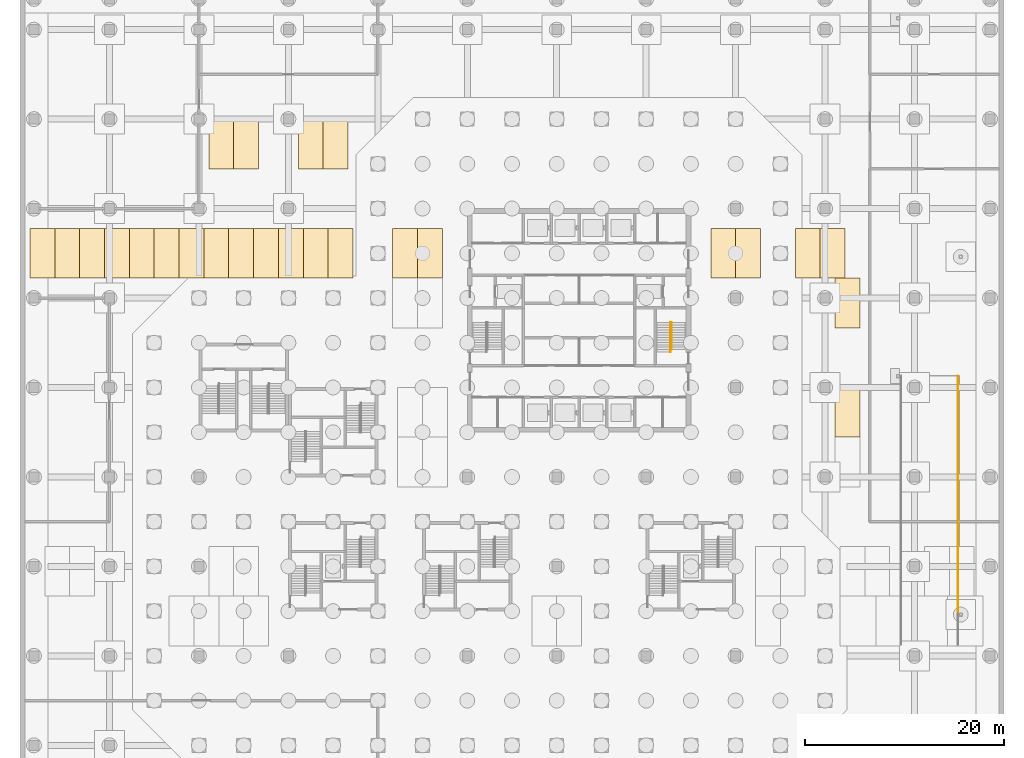
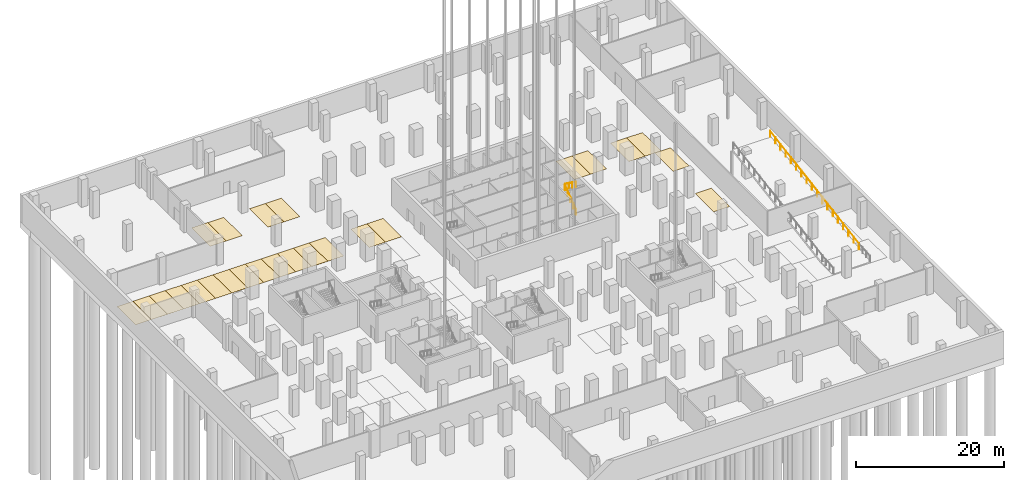
# One storey, part 36 of 37: 25 coverings, 2 railings.
"""IFC4 building model written with IfcOpenShell, lengths in metres."""

from ifc_helpers import new_model, si_unit, direction, frame, origin, origin_2d, place, context, subcontext, project, spatial, polyline, circle, outline, extrude, material, layer, layer_set, type_object, element, save


model = new_model("IFC4")

# Units and contexts
model_context = context("Model", 3, precision=1e-05, world=origin(), true_north=direction((0.0, 1.0)))
body_context = subcontext(model_context, "Body", "Model", "MODEL_VIEW")
ifc_project = project(units=[si_unit("LENGTHUNIT", "METRE"), si_unit("AREAUNIT", "SQUARE_METRE"), si_unit("VOLUMEUNIT", "CUBIC_METRE"), si_unit("PLANEANGLEUNIT", "RADIAN"), si_unit("MASSUNIT", "GRAM", prefix="KILO")], contexts=[model_context])

# Site, building, storey
site_placement = place(None, origin())
site = spatial("IfcSite", under=ifc_project, at=site_placement, CompositionType="ELEMENT")
building_placement = place(site_placement, origin())
building = spatial("IfcBuilding", under=site, at=building_placement, Name="Quoin Convention Tower", CompositionType="ELEMENT")
storey_placement = place(building_placement, frame((0.0, 0.0, -9.0)))
storey = spatial("IfcBuildingStorey", under=building, at=storey_placement, Name="B2", CompositionType="ELEMENT", Elevation=-9.0)

# Coverings
ifc_material_1 = material(Name="Road marking paint")
ifc_layer = layer(ifc_material_1, 0.0048828125)
ifc_layer_set = layer_set([ifc_layer], Name="Road marking paint")
covering_type = type_object("IfcCoveringType", Name="Parking bay marking", PredefinedType="FLOORING", material=ifc_layer_set)
covering_1_placement = place(storey_placement, origin())
element("IfcCovering", 1, at=covering_1_placement, inside=storey, type_object=covering_type, Name="PARKING BAY B2-27", PredefinedType="FLOORING", context=body_context, shape_type="SweptSolid", body=[
    extrude(outline(polyline([(82.0, 49.0), (84.5, 49.0), (84.5, 54.0), (82.0, 54.0), (82.0, 49.0)])), origin(), (0.0, 0.0, 1.0), 0.0048828125),
])
covering_2_placement = place(storey_placement, origin())
element("IfcCovering", 2, at=covering_2_placement, inside=storey, type_object=covering_type, Name="PARKING BAY B2-30", PredefinedType="FLOORING", context=body_context, shape_type="SweptSolid", body=[
    extrude(outline(polyline([(82.0, 60.0), (84.5, 60.0), (84.5, 65.0), (82.0, 65.0), (82.0, 60.0)])), origin(), (0.0, 0.0, 1.0), 0.0048828125),
])
covering_3_placement = place(storey_placement, origin())
element("IfcCovering", 3, at=covering_3_placement, inside=storey, type_object=covering_type, Name="PARKING BAY B2-31", PredefinedType="FLOORING", context=body_context, shape_type="SweptSolid", body=[
    extrude(outline(polyline([(1.0, 65.0), (3.5, 65.0), (3.5, 70.0), (1.0, 70.0), (1.0, 65.0)])), origin(), (0.0, 0.0, 1.0), 0.0048828125),
])
covering_4_placement = place(storey_placement, origin())
element("IfcCovering", 4, at=covering_4_placement, inside=storey, type_object=covering_type, Name="PARKING BAY B2-32", PredefinedType="FLOORING", context=body_context, shape_type="SweptSolid", body=[
    extrude(outline(polyline([(3.5, 65.0), (6.0, 65.0), (6.0, 70.0), (3.5, 70.0), (3.5, 65.0)])), origin(), (0.0, 0.0, 1.0), 0.0048828125),
])
covering_5_placement = place(storey_placement, origin())
element("IfcCovering", 5, at=covering_5_placement, inside=storey, type_object=covering_type, Name="PARKING BAY B2-33", PredefinedType="FLOORING", context=body_context, shape_type="SweptSolid", body=[
    extrude(outline(polyline([(6.0, 65.0), (8.5, 65.0), (8.5, 70.0), (6.0, 70.0), (6.0, 65.0)])), origin(), (0.0, 0.0, 1.0), 0.0048828125),
])
covering_6_placement = place(storey_placement, origin())
element("IfcCovering", 6, at=covering_6_placement, inside=storey, type_object=covering_type, Name="PARKING BAY B2-34", PredefinedType="FLOORING", context=body_context, shape_type="SweptSolid", body=[
    extrude(outline(polyline([(8.5, 65.0), (11.0, 65.0), (11.0, 70.0), (8.5, 70.0), (8.5, 65.0)])), origin(), (0.0, 0.0, 1.0), 0.0048828125),
])
covering_7_placement = place(storey_placement, origin())
element("IfcCovering", 7, at=covering_7_placement, inside=storey, type_object=covering_type, Name="PARKING BAY B2-35", PredefinedType="FLOORING", context=body_context, shape_type="SweptSolid", body=[
    extrude(outline(polyline([(11.0, 65.0), (13.5, 65.0), (13.5, 70.0), (11.0, 70.0), (11.0, 65.0)])), origin(), (0.0, 0.0, 1.0), 0.0048828125),
])
covering_8_placement = place(storey_placement, origin())
element("IfcCovering", 8, at=covering_8_placement, inside=storey, type_object=covering_type, Name="PARKING BAY B2-36", PredefinedType="FLOORING", context=body_context, shape_type="SweptSolid", body=[
    extrude(outline(polyline([(13.5, 65.0), (16.0, 65.0), (16.0, 70.0), (13.5, 70.0), (13.5, 65.0)])), origin(), (0.0, 0.0, 1.0), 0.0048828125),
])
covering_9_placement = place(storey_placement, origin())
element("IfcCovering", 9, at=covering_9_placement, inside=storey, type_object=covering_type, Name="PARKING BAY B2-37", PredefinedType="FLOORING", context=body_context, shape_type="SweptSolid", body=[
    extrude(outline(polyline([(16.0, 65.0), (18.5, 65.0), (18.5, 70.0), (16.0, 70.0), (16.0, 65.0)])), origin(), (0.0, 0.0, 1.0), 0.0048828125),
])
covering_10_placement = place(storey_placement, origin())
element("IfcCovering", 10, at=covering_10_placement, inside=storey, type_object=covering_type, Name="PARKING BAY B2-38", PredefinedType="FLOORING", context=body_context, shape_type="SweptSolid", body=[
    extrude(outline(polyline([(18.5, 65.0), (21.0, 65.0), (21.0, 70.0), (18.5, 70.0), (18.5, 65.0)])), origin(), (0.0, 0.0, 1.0), 0.0048828125),
])
covering_11_placement = place(storey_placement, origin())
element("IfcCovering", 11, at=covering_11_placement, inside=storey, type_object=covering_type, Name="PARKING BAY B2-39", PredefinedType="FLOORING", context=body_context, shape_type="SweptSolid", body=[
    extrude(outline(polyline([(21.0, 65.0), (23.5, 65.0), (23.5, 70.0), (21.0, 70.0), (21.0, 65.0)])), origin(), (0.0, 0.0, 1.0), 0.0048828125),
])
covering_12_placement = place(storey_placement, origin())
element("IfcCovering", 12, at=covering_12_placement, inside=storey, type_object=covering_type, Name="PARKING BAY B2-40", PredefinedType="FLOORING", context=body_context, shape_type="SweptSolid", body=[
    extrude(outline(polyline([(23.5, 65.0), (26.0, 65.0), (26.0, 70.0), (23.5, 70.0), (23.5, 65.0)])), origin(), (0.0, 0.0, 1.0), 0.0048828125),
])
covering_13_placement = place(storey_placement, origin())
element("IfcCovering", 13, at=covering_13_placement, inside=storey, type_object=covering_type, Name="PARKING BAY B2-41", PredefinedType="FLOORING", context=body_context, shape_type="SweptSolid", body=[
    extrude(outline(polyline([(26.0, 65.0), (28.5, 65.0), (28.5, 70.0), (26.0, 70.0), (26.0, 65.0)])), origin(), (0.0, 0.0, 1.0), 0.0048828125),
])
covering_14_placement = place(storey_placement, origin())
element("IfcCovering", 14, at=covering_14_placement, inside=storey, type_object=covering_type, Name="PARKING BAY B2-42", PredefinedType="FLOORING", context=body_context, shape_type="SweptSolid", body=[
    extrude(outline(polyline([(28.5, 65.0), (31.0, 65.0), (31.0, 70.0), (28.5, 70.0), (28.5, 65.0)])), origin(), (0.0, 0.0, 1.0), 0.0048828125),
])
covering_15_placement = place(storey_placement, origin())
element("IfcCovering", 15, at=covering_15_placement, inside=storey, type_object=covering_type, Name="PARKING BAY B2-43", PredefinedType="FLOORING", context=body_context, shape_type="SweptSolid", body=[
    extrude(outline(polyline([(31.0, 65.0), (33.5, 65.0), (33.5, 70.0), (31.0, 70.0), (31.0, 65.0)])), origin(), (0.0, 0.0, 1.0), 0.0048828125),
])
covering_16_placement = place(storey_placement, origin())
element("IfcCovering", 16, at=covering_16_placement, inside=storey, type_object=covering_type, Name="PARKING BAY B2-44", PredefinedType="FLOORING", context=body_context, shape_type="SweptSolid", body=[
    extrude(outline(polyline([(37.5, 65.0), (40.0, 65.0), (40.0, 70.0), (37.5, 70.0), (37.5, 65.0)])), origin(), (0.0, 0.0, 1.0), 0.0048828125),
])
covering_17_placement = place(storey_placement, origin())
element("IfcCovering", 17, at=covering_17_placement, inside=storey, type_object=covering_type, Name="PARKING BAY B2-45", PredefinedType="FLOORING", context=body_context, shape_type="SweptSolid", body=[
    extrude(outline(polyline([(40.0, 65.0), (42.5, 65.0), (42.5, 70.0), (40.0, 70.0), (40.0, 65.0)])), origin(), (0.0, 0.0, 1.0), 0.0048828125),
])
covering_18_placement = place(storey_placement, origin())
element("IfcCovering", 18, at=covering_18_placement, inside=storey, type_object=covering_type, Name="PARKING BAY B2-46", PredefinedType="FLOORING", context=body_context, shape_type="SweptSolid", body=[
    extrude(outline(polyline([(69.5, 65.0), (72.0, 65.0), (72.0, 70.0), (69.5, 70.0), (69.5, 65.0)])), origin(), (0.0, 0.0, 1.0), 0.0048828125),
])
covering_19_placement = place(storey_placement, origin())
element("IfcCovering", 19, at=covering_19_placement, inside=storey, type_object=covering_type, Name="PARKING BAY B2-47", PredefinedType="FLOORING", context=body_context, shape_type="SweptSolid", body=[
    extrude(outline(polyline([(72.0, 65.0), (74.5, 65.0), (74.5, 70.0), (72.0, 70.0), (72.0, 65.0)])), origin(), (0.0, 0.0, 1.0), 0.0048828125),
])
covering_20_placement = place(storey_placement, origin())
element("IfcCovering", 20, at=covering_20_placement, inside=storey, type_object=covering_type, Name="PARKING BAY B2-48", PredefinedType="FLOORING", context=body_context, shape_type="SweptSolid", body=[
    extrude(outline(polyline([(78.0, 65.0), (80.5, 65.0), (80.5, 70.0), (78.0, 70.0), (78.0, 65.0)])), origin(), (0.0, 0.0, 1.0), 0.0048828125),
])
covering_21_placement = place(storey_placement, origin())
element("IfcCovering", 21, at=covering_21_placement, inside=storey, type_object=covering_type, Name="PARKING BAY B2-49", PredefinedType="FLOORING", context=body_context, shape_type="SweptSolid", body=[
    extrude(outline(polyline([(80.5, 65.0), (83.0, 65.0), (83.0, 70.0), (80.5, 70.0), (80.5, 65.0)])), origin(), (0.0, 0.0, 1.0), 0.0048828125),
])
covering_22_placement = place(storey_placement, origin())
element("IfcCovering", 22, at=covering_22_placement, inside=storey, type_object=covering_type, Name="PARKING BAY B2-50", PredefinedType="FLOORING", context=body_context, shape_type="SweptSolid", body=[
    extrude(outline(polyline([(19.0, 76.0), (21.5, 76.0), (21.5, 81.0), (19.0, 81.0), (19.0, 76.0)])), origin(), (0.0, 0.0, 1.0), 0.0048828125),
])
covering_23_placement = place(storey_placement, origin())
element("IfcCovering", 23, at=covering_23_placement, inside=storey, type_object=covering_type, Name="PARKING BAY B2-51", PredefinedType="FLOORING", context=body_context, shape_type="SweptSolid", body=[
    extrude(outline(polyline([(21.5, 76.0), (24.0, 76.0), (24.0, 81.0), (21.5, 81.0), (21.5, 76.0)])), origin(), (0.0, 0.0, 1.0), 0.0048828125),
])
covering_24_placement = place(storey_placement, origin())
element("IfcCovering", 24, at=covering_24_placement, inside=storey, type_object=covering_type, Name="PARKING BAY B2-52", PredefinedType="FLOORING", context=body_context, shape_type="SweptSolid", body=[
    extrude(outline(polyline([(28.0, 76.0), (30.5, 76.0), (30.5, 81.0), (28.0, 81.0), (28.0, 76.0)])), origin(), (0.0, 0.0, 1.0), 0.0048828125),
])
covering_25_placement = place(storey_placement, origin())
element("IfcCovering", 25, at=covering_25_placement, inside=storey, type_object=covering_type, Name="PARKING BAY B2-53", PredefinedType="FLOORING", context=body_context, shape_type="SweptSolid", body=[
    extrude(outline(polyline([(30.5, 76.0), (33.0, 76.0), (33.0, 81.0), (30.5, 81.0), (30.5, 76.0)])), origin(), (0.0, 0.0, 1.0), 0.0048828125),
])

# Railings
ifc_material_2 = material(Name="Stainless steel", Category="steel")
railing_type_1 = type_object("IfcRailingType", Name="Ramp guard 1100", PredefinedType="GUARDRAIL", material=ifc_material_2)
railing_1_placement = place(storey_placement, frame((94.35009765625, 55.14990234375, 4.25)))
element("IfcRailing", 26, at=railing_1_placement, inside=storey, type_object=railing_type_1, Name="grd-ramp-2mainE", PredefinedType="GUARDRAIL", context=body_context, shape_type="SweptSolid", body=[
    extrude(circle(Radius=0.02392578125, at=origin_2d()), frame((0.0, 0.0, 1.076171875), z_axis=(0.0, -0.986393923832, -0.164398987305), x_axis=(1.0, 0.0, 0.0)), (0.0, 0.0, 1.0), 24.3310546875),
    extrude(circle(Radius=0.02099609375, at=origin_2d()), origin(), (0.0, 0.0, 1.0), 1.052001953125),
    extrude(circle(Radius=0.02099609375, at=origin_2d()), frame((0.0, -1.411865234375, -0.2353515625)), (0.0, 0.0, 1.0), 1.052001953125),
    extrude(circle(Radius=0.02099609375, at=origin_2d()), frame((0.0, -2.823486328125, -0.470703125)), (0.0, 0.0, 1.0), 1.052001953125),
    extrude(circle(Radius=0.02099609375, at=origin_2d()), frame((0.0, -4.2353515625, -0.705810546875)), (0.0, 0.0, 1.0), 1.052001953125),
    extrude(circle(Radius=0.02099609375, at=origin_2d()), frame((0.0, -5.64697265625, -0.941162109375)), (0.0, 0.0, 1.0), 1.052001953125),
    extrude(circle(Radius=0.02099609375, at=origin_2d()), frame((0.0, -7.058837890625, -1.176513671875)), (0.0, 0.0, 1.0), 1.052001953125),
    extrude(circle(Radius=0.02099609375, at=origin_2d()), frame((0.0, -8.470703125, -1.411865234375)), (0.0, 0.0, 1.0), 1.052001953125),
    extrude(circle(Radius=0.02099609375, at=origin_2d()), frame((0.0, -9.88232421875, -1.64697265625)), (0.0, 0.0, 1.0), 1.052001953125),
    extrude(circle(Radius=0.02099609375, at=origin_2d()), frame((0.0, -11.294189453125, -1.88232421875)), (0.0, 0.0, 1.0), 1.052001953125),
    extrude(circle(Radius=0.02099609375, at=origin_2d()), frame((0.0, -12.705810546875, -2.11767578125)), (0.0, 0.0, 1.0), 1.052001953125),
    extrude(circle(Radius=0.02099609375, at=origin_2d()), frame((0.0, -14.11767578125, -2.35302734375)), (0.0, 0.0, 1.0), 1.052001953125),
    extrude(circle(Radius=0.02099609375, at=origin_2d()), frame((0.0, -15.529296875, -2.588134765625)), (0.0, 0.0, 1.0), 1.052001953125),
    extrude(circle(Radius=0.02099609375, at=origin_2d()), frame((0.0, -16.941162109375, -2.823486328125)), (0.0, 0.0, 1.0), 1.052001953125),
    extrude(circle(Radius=0.02099609375, at=origin_2d()), frame((0.0, -18.35302734375, -3.058837890625)), (0.0, 0.0, 1.0), 1.052001953125),
    extrude(circle(Radius=0.02099609375, at=origin_2d()), frame((0.0, -19.7646484375, -3.294189453125)), (0.0, 0.0, 1.0), 1.052001953125),
    extrude(circle(Radius=0.02099609375, at=origin_2d()), frame((0.0, -21.176513671875, -3.529296875)), (0.0, 0.0, 1.0), 1.052001953125),
    extrude(circle(Radius=0.02099609375, at=origin_2d()), frame((0.0, -22.588134765625, -3.7646484375)), (0.0, 0.0, 1.0), 1.052001953125),
    extrude(circle(Radius=0.02099609375, at=origin_2d()), frame((0.0, -24.0, -4.0)), (0.0, 0.0, 1.0), 1.052001953125),
])
railing_type_2 = type_object("IfcRailingType", Name="Stair handrail 900", PredefinedType="HANDRAIL", material=ifc_material_2)
railing_2_placement = place(storey_placement, frame((65.455078125, 57.550048828125, 0.179931640625)))
element("IfcRailing", 27, at=railing_2_placement, inside=storey, type_object=railing_type_2, Name="SD2 handrail 1", PredefinedType="HANDRAIL", context=body_context, shape_type="SweptSolid", body=[
    extrude(circle(Radius=0.02392578125, at=origin_2d()), frame((0.0, 0.0, 0.8759765625), z_axis=(0.0, 0.811514298965, 0.584332561625), x_axis=(-1.0, 0.0, 0.0)), (0.0, 0.0, 1.0), 3.69677734375),
    extrude(circle(Radius=0.02392578125, at=origin_2d()), frame((0.0, 3.0, 3.0361328125), z_axis=(0.446727955732, 0.0, 0.894669846126), x_axis=(0.0, 1.0, 0.0)), (0.0, 0.0, 1.0), 0.201171875),
    extrude(circle(Radius=0.02392578125, at=origin_2d()), frame((0.08984375, 3.0, 3.2158203125), z_axis=(0.0, -0.811537074521, 0.584300929897), x_axis=(1.0, 0.0, 0.0)), (0.0, 0.0, 1.0), 3.388671875),
    extrude(circle(Radius=0.02099609375, at=origin_2d()), origin(), (0.0, 0.0, 1.0), 0.851806640625),
    extrude(circle(Radius=0.02099609375, at=origin_2d()), frame((0.0, 0.75, 0.5400390625)), (0.0, 0.0, 1.0), 0.851806640625),
    extrude(circle(Radius=0.02099609375, at=origin_2d()), frame((0.0, 1.5, 1.080078125)), (0.0, 0.0, 1.0), 0.851806640625),
    extrude(circle(Radius=0.02099609375, at=origin_2d()), frame((0.0, 2.25, 1.6201171875)), (0.0, 0.0, 1.0), 0.851806640625),
    extrude(circle(Radius=0.02099609375, at=origin_2d()), frame((0.0, 3.0, 2.16015625)), (0.0, 0.0, 1.0), 0.851806640625),
    extrude(circle(Radius=0.02099609375, at=origin_2d()), frame((0.08984375, 3.0, 2.340087890625)), (0.0, 0.0, 1.0), 0.851806640625),
    extrude(circle(Radius=0.02099609375, at=origin_2d()), frame((0.08984375, 2.083251953125, 3.0)), (0.0, 0.0, 1.0), 0.851806640625),
    extrude(circle(Radius=0.02099609375, at=origin_2d()), frame((0.08984375, 1.166748046875, 3.66015625)), (0.0, 0.0, 1.0), 0.851806640625),
    extrude(circle(Radius=0.02099609375, at=origin_2d()), frame((0.08984375, 0.25, 4.320068359375)), (0.0, 0.0, 1.0), 0.851806640625),
])

save(model, "model.ifc")
